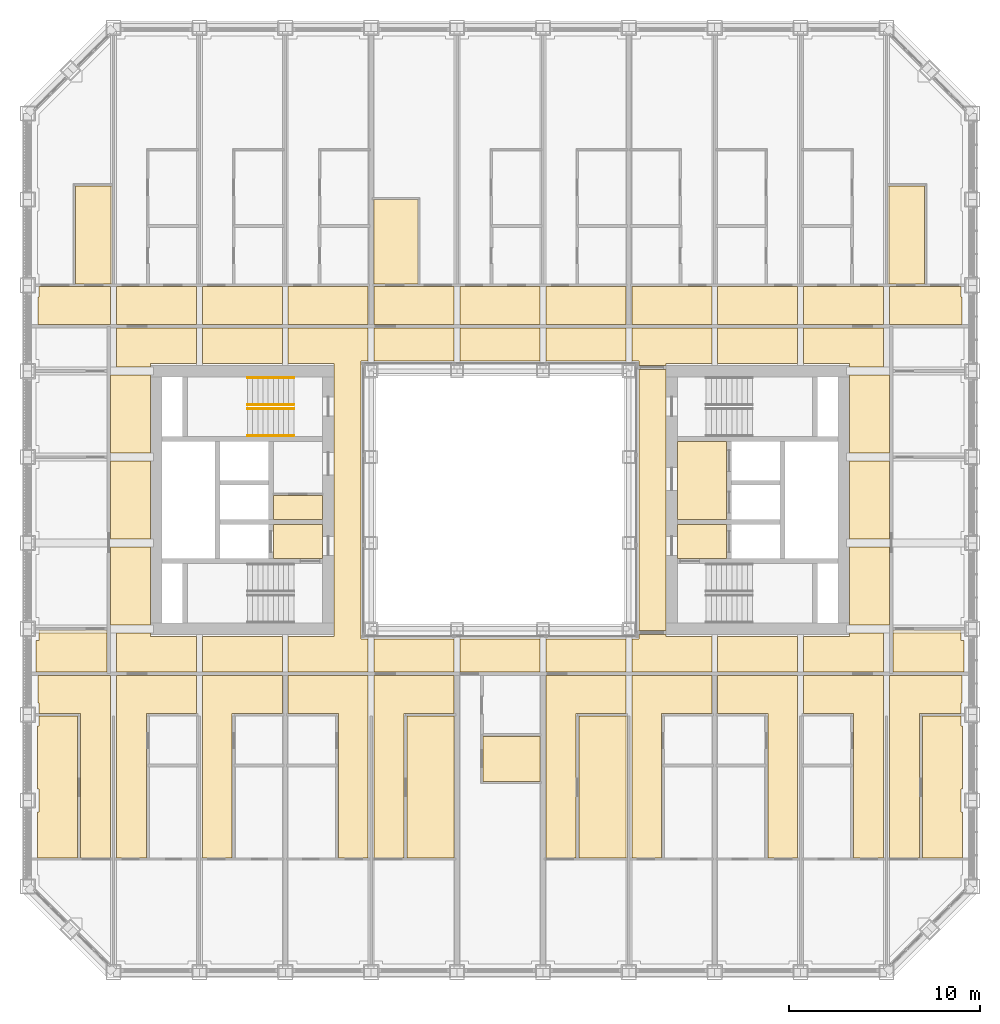
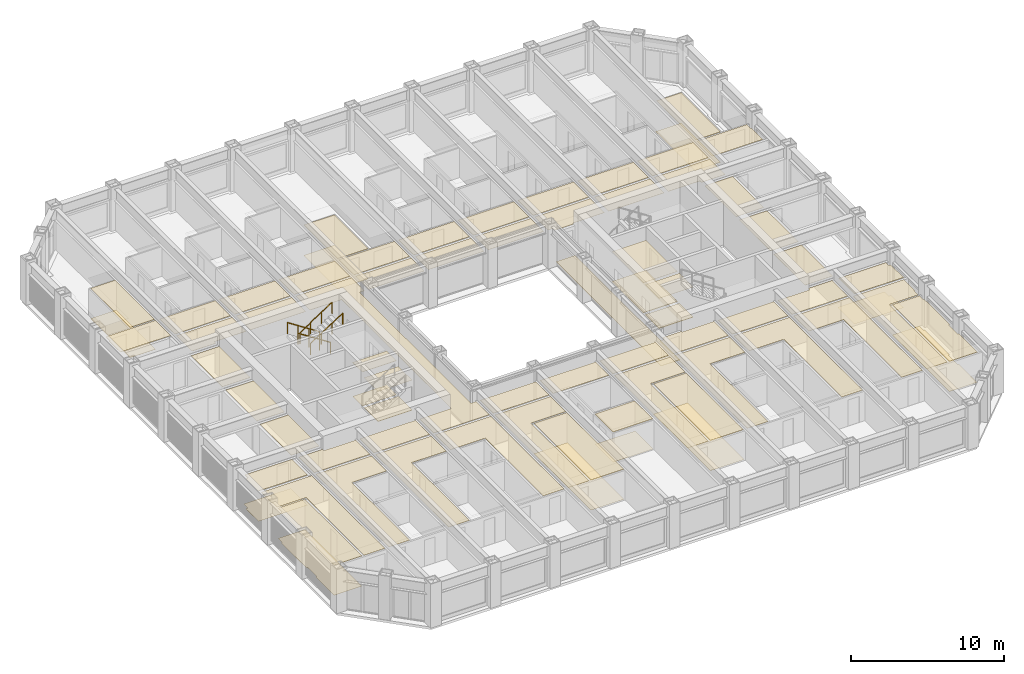
# One storey, part 18 of 21: 5 coverings, 4 railings.
"""IFC4 building model written with IfcOpenShell, lengths in metres."""

from ifc_helpers import new_model, si_unit, direction, frame, origin, origin_2d, place, context, subcontext, project, spatial, line, indexed_curve, circle, outline, extrude, material, layer, layer_set, type_object, element, save


model = new_model("IFC4")

# Units and contexts
model_context = context("Model", 3, precision=1e-05, world=origin(), true_north=direction((0.0, 1.0)))
body_context = subcontext(model_context, "Body", "Model", "MODEL_VIEW")
ifc_project = project(units=[si_unit("LENGTHUNIT", "METRE"), si_unit("AREAUNIT", "SQUARE_METRE"), si_unit("VOLUMEUNIT", "CUBIC_METRE"), si_unit("PLANEANGLEUNIT", "RADIAN"), si_unit("MASSUNIT", "GRAM", prefix="KILO")], contexts=[model_context])

# Site, building, storey
site_placement = place(None, origin())
site = spatial("IfcSite", under=ifc_project, at=site_placement, CompositionType="ELEMENT")
building_placement = place(site_placement, origin())
building = spatial("IfcBuilding", under=site, at=building_placement, Name="Msasa Ring Tower", CompositionType="ELEMENT")
storey_placement = place(building_placement, frame((0.0, 0.0, 68.5)))
storey = spatial("IfcBuildingStorey", under=building, at=storey_placement, Name="L17", CompositionType="ELEMENT", Elevation=68.5)

# Coverings
ifc_material_1 = material(Name="Gypsum plasterboard on a steel suspension grid", Category="steel")
ifc_layer_1 = layer(ifc_material_1, 0.014892578125)
ifc_layer_set_1 = layer_set([ifc_layer_1], Name="C1 SUSPENDED PLASTERBOARD CEILING 15")
covering_type_1 = type_object("IfcCoveringType", Name="C1 SUSPENDED PLASTERBOARD CEILING 15", PredefinedType="CEILING", material=ifc_layer_set_1)
covering_1_placement = place(storey_placement, frame((0.0, 0.0, 2.39990234375)))
element("IfcCovering", 1, at=covering_1_placement, inside=storey, type_object=covering_type_1, Name="Suspended Plasterboard Ceiling 15 circulation L17", PredefinedType="CEILING", context=body_context, shape_type="SweptSolid", body=[
    extrude(outline(indexed_curve([(-21.969482421875, -18.757080078125), (-21.969482421875, -11.18701171875), (-24.1494140625, -11.18701171875), (-24.1494140625, -10.6494140625), (-24.199462890625, -10.6494140625), (-24.199462890625, -9.200439453125), (-20.404296875, -9.200439453125), (-20.404296875, -18.757080078125)], segments=[line(1, 2, 3, 4, 5, 6, 7, 8, 1)], self_intersect=False)), origin(), (0.0, 0.0, 1.0), 0.01513671875),
    extrude(outline(indexed_curve([(-24.199462890625, 10.6494140625), (-24.1494140625, 10.6494140625), (-24.1494140625, 11.18701171875), (-20.404296875, 11.18701171875), (-20.404296875, 9.200439453125), (-24.199462890625, 9.200439453125)], segments=[line(1, 2, 3, 4, 5, 6, 1)], self_intersect=False)), origin(), (0.0, 0.0, 1.0), 0.01513671875),
    extrude(outline(indexed_curve([(-20.3994140625, -2.460693359375), (-18.300537109375, -2.460693359375), (-18.300537109375, -6.539306640625), (-20.3994140625, -6.539306640625)], segments=[line(1, 2, 3, 4, 1)], self_intersect=False)), origin(), (0.0, 0.0, 1.0), 0.01513671875),
    extrude(outline(indexed_curve([(-20.3994140625, 2.039306640625), (-18.300537109375, 2.039306640625), (-18.300537109375, -2.039306640625), (-20.3994140625, -2.039306640625)], segments=[line(1, 2, 3, 4, 1)], self_intersect=False)), origin(), (0.0, 0.0, 1.0), 0.01513671875),
    extrude(outline(indexed_curve([(-20.3994140625, 6.539306640625), (-18.300537109375, 6.539306640625), (-18.300537109375, 2.460693359375), (-20.3994140625, 2.460693359375)], segments=[line(1, 2, 3, 4, 1)], self_intersect=False)), origin(), (0.0, 0.0, 1.0), 0.01513671875),
    extrude(outline(indexed_curve([(-18.530517578125, -11.18701171875), (-18.530517578125, -18.757080078125), (-20.095703125, -18.757080078125), (-20.095703125, -9.200439453125), (-15.904296875, -9.200439453125), (-15.904296875, -11.18701171875)], segments=[line(1, 2, 3, 4, 5, 6, 1)], self_intersect=False)), origin(), (0.0, 0.0, 1.0), 0.01513671875),
    extrude(outline(indexed_curve([(-20.095703125, -8.99951171875), (-20.095703125, -6.960693359375), (-18.300537109375, -6.960693359375), (-18.300537109375, -7.150390625), (-15.904296875, -7.150390625), (-15.904296875, -8.99951171875)], segments=[line(1, 2, 3, 4, 5, 6, 1)], self_intersect=False)), origin(), (0.0, 0.0, 1.0), 0.01513671875),
    extrude(outline(indexed_curve([(-15.904296875, 8.99951171875), (-15.904296875, 7.150390625), (-18.300537109375, 7.150390625), (-18.300537109375, 6.960693359375), (-20.095703125, 6.960693359375), (-20.095703125, 8.99951171875)], segments=[line(1, 2, 3, 4, 5, 6, 1)], self_intersect=False)), origin(), (0.0, 0.0, 1.0), 0.01513671875),
    extrude(outline(indexed_curve([(-15.904296875, 11.18701171875), (-15.904296875, 9.200439453125), (-20.095703125, 9.200439453125), (-20.095703125, 11.18701171875)], segments=[line(1, 2, 3, 4, 1)], self_intersect=False)), origin(), (0.0, 0.0, 1.0), 0.01513671875),
    extrude(outline(indexed_curve([(-11.404296875, -9.200439453125), (-11.404296875, -11.18701171875), (-14.030517578125, -11.18701171875), (-14.030517578125, -18.757080078125), (-15.595703125, -18.757080078125), (-15.595703125, -9.200439453125)], segments=[line(1, 2, 3, 4, 5, 6, 1)], self_intersect=False)), origin(), (0.0, 0.0, 1.0), 0.01513671875),
    extrude(outline(indexed_curve([(-15.595703125, -8.99951171875), (-15.595703125, -7.150390625), (-11.404296875, -7.150390625), (-11.404296875, -8.99951171875)], segments=[line(1, 2, 3, 4, 1)], self_intersect=False)), origin(), (0.0, 0.0, 1.0), 0.01513671875),
    extrude(outline(indexed_curve([(-11.404296875, 8.99951171875), (-11.404296875, 7.150390625), (-15.595703125, 7.150390625), (-15.595703125, 8.99951171875)], segments=[line(1, 2, 3, 4, 1)], self_intersect=False)), origin(), (0.0, 0.0, 1.0), 0.01513671875),
    extrude(outline(indexed_curve([(-11.404296875, 11.18701171875), (-11.404296875, 9.200439453125), (-15.595703125, 9.200439453125), (-15.595703125, 11.18701171875)], segments=[line(1, 2, 3, 4, 1)], self_intersect=False)), origin(), (0.0, 0.0, 1.0), 0.01513671875),
    extrude(outline(indexed_curve([(-11.87451171875, -3.074462890625), (-11.87451171875, -1.275390625), (-9.300537109375, -1.275390625), (-9.300537109375, -3.074462890625)], segments=[line(1, 2, 3, 4, 1)], self_intersect=False)), origin(), (0.0, 0.0, 1.0), 0.01513671875),
    extrude(outline(indexed_curve([(-8.469482421875, -18.757080078125), (-8.469482421875, -11.18701171875), (-11.095703125, -11.18701171875), (-11.095703125, -9.200439453125), (-6.904296875, -9.200439453125), (-6.904296875, -18.757080078125)], segments=[line(1, 2, 3, 4, 5, 6, 1)], self_intersect=False)), origin(), (0.0, 0.0, 1.0), 0.01513671875),
    extrude(outline(indexed_curve([(-11.095703125, -8.99951171875), (-11.095703125, -7.150390625), (-8.699462890625, -7.150390625), (-8.699462890625, 7.150390625), (-11.095703125, 7.150390625), (-11.095703125, 8.99951171875), (-6.904296875, 8.99951171875), (-6.904296875, 7.280029296875), (-7.275390625, 7.275390625), (-7.280517578125, 7.23046875), (-7.280517578125, -7.23046875), (-7.275390625, -7.275390625), (-6.904296875, -7.280029296875), (-6.904296875, -8.99951171875)], segments=[line(1, 2, 3, 4, 5, 6, 7, 8, 9, 10, 11, 12, 13, 14, 1)], self_intersect=False)), origin(), (0.0, 0.0, 1.0), 0.01513671875),
    extrude(outline(indexed_curve([(-6.904296875, 11.18701171875), (-6.904296875, 9.200439453125), (-11.095703125, 9.200439453125), (-11.095703125, 11.18701171875)], segments=[line(1, 2, 3, 4, 1)], self_intersect=False)), origin(), (0.0, 0.0, 1.0), 0.01513671875),
    extrude(outline(indexed_curve([(-6.595703125, -18.757080078125), (-6.595703125, -9.200439453125), (-2.404296875, -9.200439453125), (-2.404296875, -11.18701171875), (-5.030517578125, -11.18701171875), (-5.030517578125, -18.757080078125)], segments=[line(1, 2, 3, 4, 5, 6, 1)], self_intersect=False)), origin(), (0.0, 0.0, 1.0), 0.01513671875),
    extrude(outline(indexed_curve([(-6.595703125, -8.99951171875), (-6.595703125, -7.280029296875), (-2.404296875, -7.280029296875), (-2.404296875, -8.99951171875)], segments=[line(1, 2, 3, 4, 1)], self_intersect=False)), origin(), (0.0, 0.0, 1.0), 0.01513671875),
    extrude(outline(indexed_curve([(-2.404296875, 8.99951171875), (-2.404296875, 7.280029296875), (-6.595703125, 7.280029296875), (-6.595703125, 8.99951171875)], segments=[line(1, 2, 3, 4, 1)], self_intersect=False)), origin(), (0.0, 0.0, 1.0), 0.01513671875),
    extrude(outline(indexed_curve([(-6.595703125, 9.200439453125), (-6.595703125, 11.18701171875), (-2.404296875, 11.18701171875), (-2.404296875, 9.200439453125)], segments=[line(1, 2, 3, 4, 1)], self_intersect=False)), origin(), (0.0, 0.0, 1.0), 0.01513671875),
    extrude(outline(indexed_curve([(-2.095703125, -8.99951171875), (-2.095703125, -7.280029296875), (2.095703125, -7.280029296875), (2.095703125, -8.99951171875)], segments=[line(1, 2, 3, 4, 1)], self_intersect=False)), origin(), (0.0, 0.0, 1.0), 0.01513671875),
    extrude(outline(indexed_curve([(2.095703125, 8.99951171875), (2.095703125, 7.280029296875), (-2.095703125, 7.280029296875), (-2.095703125, 8.99951171875)], segments=[line(1, 2, 3, 4, 1)], self_intersect=False)), origin(), (0.0, 0.0, 1.0), 0.01513671875),
    extrude(outline(indexed_curve([(-2.095703125, 9.200439453125), (-2.095703125, 11.18701171875), (2.095703125, 11.18701171875), (2.095703125, 9.200439453125)], segments=[line(1, 2, 3, 4, 1)], self_intersect=False)), origin(), (0.0, 0.0, 1.0), 0.01513671875),
    extrude(outline(indexed_curve([(3.969482421875, -11.18701171875), (3.969482421875, -18.757080078125), (2.404296875, -18.757080078125), (2.404296875, -9.200439453125), (6.595703125, -9.200439453125), (6.595703125, -11.18701171875)], segments=[line(1, 2, 3, 4, 5, 6, 1)], self_intersect=False)), origin(), (0.0, 0.0, 1.0), 0.01513671875),
    extrude(outline(indexed_curve([(2.404296875, -8.99951171875), (2.404296875, -7.280029296875), (6.595703125, -7.280029296875), (6.595703125, -8.99951171875)], segments=[line(1, 2, 3, 4, 1)], self_intersect=False)), origin(), (0.0, 0.0, 1.0), 0.01513671875),
    extrude(outline(indexed_curve([(6.595703125, 8.99951171875), (6.595703125, 7.280029296875), (2.404296875, 7.280029296875), (2.404296875, 8.99951171875)], segments=[line(1, 2, 3, 4, 1)], self_intersect=False)), origin(), (0.0, 0.0, 1.0), 0.01513671875),
    extrude(outline(indexed_curve([(2.404296875, 9.200439453125), (2.404296875, 11.18701171875), (6.595703125, 11.18701171875), (6.595703125, 9.200439453125)], segments=[line(1, 2, 3, 4, 1)], self_intersect=False)), origin(), (0.0, 0.0, 1.0), 0.01513671875),
    extrude(outline(indexed_curve([(11.095703125, -9.200439453125), (11.095703125, -11.18701171875), (8.469482421875, -11.18701171875), (8.469482421875, -18.757080078125), (6.904296875, -18.757080078125), (6.904296875, -9.200439453125)], segments=[line(1, 2, 3, 4, 5, 6, 1)], self_intersect=False)), origin(), (0.0, 0.0, 1.0), 0.01513671875),
    extrude(outline(indexed_curve([(6.904296875, -8.99951171875), (6.904296875, -7.280029296875), (7.275390625, -7.275390625), (7.280029296875, -7.050537109375), (8.699462890625, -7.050537109375), (8.699462890625, -7.150390625), (11.095703125, -7.150390625), (11.095703125, -8.99951171875)], segments=[line(1, 2, 3, 4, 5, 6, 7, 8, 1)], self_intersect=False)), origin(), (0.0, 0.0, 1.0), 0.01513671875),
    extrude(outline(indexed_curve([(11.095703125, 8.99951171875), (11.095703125, 7.150390625), (8.699462890625, 7.150390625), (8.699462890625, 7.050537109375), (7.280029296875, 7.050537109375), (7.275390625, 7.275390625), (6.904296875, 7.280029296875), (6.904296875, 8.99951171875)], segments=[line(1, 2, 3, 4, 5, 6, 7, 8, 1)], self_intersect=False)), origin(), (0.0, 0.0, 1.0), 0.01513671875),
    extrude(outline(indexed_curve([(11.095703125, 11.18701171875), (11.095703125, 9.200439453125), (6.904296875, 9.200439453125), (6.904296875, 11.18701171875)], segments=[line(1, 2, 3, 4, 1)], self_intersect=False)), origin(), (0.0, 0.0, 1.0), 0.01513671875),
    extrude(outline(indexed_curve([(9.300537109375, -3.074462890625), (9.300537109375, -1.275390625), (11.87451171875, -1.275390625), (11.87451171875, -3.074462890625)], segments=[line(1, 2, 3, 4, 1)], self_intersect=False)), origin(), (0.0, 0.0, 1.0), 0.01513671875),
    extrude(outline(indexed_curve([(9.300537109375, 3.074462890625), (11.87451171875, 3.074462890625), (11.87451171875, -1.0244140625), (9.300537109375, -1.0244140625)], segments=[line(1, 2, 3, 4, 1)], self_intersect=False)), origin(), (0.0, 0.0, 1.0), 0.01513671875),
    extrude(outline(indexed_curve([(14.030517578125, -18.757080078125), (14.030517578125, -11.18701171875), (11.404296875, -11.18701171875), (11.404296875, -9.200439453125), (15.595703125, -9.200439453125), (15.595703125, -18.757080078125)], segments=[line(1, 2, 3, 4, 5, 6, 1)], self_intersect=False)), origin(), (0.0, 0.0, 1.0), 0.01513671875),
    extrude(outline(indexed_curve([(11.404296875, -8.99951171875), (11.404296875, -7.150390625), (15.595703125, -7.150390625), (15.595703125, -8.99951171875)], segments=[line(1, 2, 3, 4, 1)], self_intersect=False)), origin(), (0.0, 0.0, 1.0), 0.01513671875),
    extrude(outline(indexed_curve([(15.595703125, 8.99951171875), (15.595703125, 7.150390625), (11.404296875, 7.150390625), (11.404296875, 8.99951171875)], segments=[line(1, 2, 3, 4, 1)], self_intersect=False)), origin(), (0.0, 0.0, 1.0), 0.01513671875),
    extrude(outline(indexed_curve([(15.595703125, 11.18701171875), (15.595703125, 9.200439453125), (11.404296875, 9.200439453125), (11.404296875, 11.18701171875)], segments=[line(1, 2, 3, 4, 1)], self_intersect=False)), origin(), (0.0, 0.0, 1.0), 0.01513671875),
    extrude(outline(indexed_curve([(18.530517578125, -18.757080078125), (18.530517578125, -11.18701171875), (15.904296875, -11.18701171875), (15.904296875, -9.200439453125), (20.095703125, -9.200439453125), (20.095703125, -18.757080078125)], segments=[line(1, 2, 3, 4, 5, 6, 1)], self_intersect=False)), origin(), (0.0, 0.0, 1.0), 0.01513671875),
    extrude(outline(indexed_curve([(15.904296875, -8.99951171875), (15.904296875, -7.150390625), (18.300537109375, -7.150390625), (18.300537109375, -6.960693359375), (20.095703125, -6.960693359375), (20.095703125, -8.99951171875)], segments=[line(1, 2, 3, 4, 5, 6, 1)], self_intersect=False)), origin(), (0.0, 0.0, 1.0), 0.01513671875),
    extrude(outline(indexed_curve([(20.095703125, 8.99951171875), (20.095703125, 6.960693359375), (18.300537109375, 6.960693359375), (18.300537109375, 7.150390625), (15.904296875, 7.150390625), (15.904296875, 8.99951171875)], segments=[line(1, 2, 3, 4, 5, 6, 1)], self_intersect=False)), origin(), (0.0, 0.0, 1.0), 0.01513671875),
    extrude(outline(indexed_curve([(20.095703125, 11.18701171875), (20.095703125, 9.200439453125), (15.904296875, 9.200439453125), (15.904296875, 11.18701171875)], segments=[line(1, 2, 3, 4, 1)], self_intersect=False)), origin(), (0.0, 0.0, 1.0), 0.01513671875),
    extrude(outline(indexed_curve([(20.3994140625, -6.539306640625), (18.300537109375, -6.539306640625), (18.300537109375, -2.460693359375), (20.3994140625, -2.460693359375)], segments=[line(1, 2, 3, 4, 1)], self_intersect=False)), origin(), (0.0, 0.0, 1.0), 0.01513671875),
    extrude(outline(indexed_curve([(20.3994140625, -2.039306640625), (18.300537109375, -2.039306640625), (18.300537109375, 2.039306640625), (20.3994140625, 2.039306640625)], segments=[line(1, 2, 3, 4, 1)], self_intersect=False)), origin(), (0.0, 0.0, 1.0), 0.01513671875),
    extrude(outline(indexed_curve([(20.3994140625, 2.460693359375), (18.300537109375, 2.460693359375), (18.300537109375, 6.539306640625), (20.3994140625, 6.539306640625)], segments=[line(1, 2, 3, 4, 1)], self_intersect=False)), origin(), (0.0, 0.0, 1.0), 0.01513671875),
    extrude(outline(indexed_curve([(24.199462890625, -9.200439453125), (24.199462890625, -10.6494140625), (24.1494140625, -10.6494140625), (24.1494140625, -11.18701171875), (21.969482421875, -11.18701171875), (21.969482421875, -18.757080078125), (20.404296875, -18.757080078125), (20.404296875, -9.200439453125)], segments=[line(1, 2, 3, 4, 5, 6, 7, 8, 1)], self_intersect=False)), origin(), (0.0, 0.0, 1.0), 0.01513671875),
    extrude(outline(indexed_curve([(24.1494140625, 11.18701171875), (24.1494140625, 10.6494140625), (24.199462890625, 10.6494140625), (24.199462890625, 9.200439453125), (20.404296875, 9.200439453125), (20.404296875, 11.18701171875)], segments=[line(1, 2, 3, 4, 5, 6, 1)], self_intersect=False)), origin(), (0.0, 0.0, 1.0), 0.01513671875),
])
ifc_material_2 = material(Name="Mineral fibre ceiling tiles on an exposed steel grid", Category="steel")
ifc_layer_2 = layer(ifc_material_2, 0.02001953125)
ifc_layer_set_2 = layer_set([ifc_layer_2], Name="C3 ACOUSTIC MINERAL FIBRE TILE CEILING 20")
covering_type_2 = type_object("IfcCoveringType", Name="C3 ACOUSTIC MINERAL FIBRE TILE CEILING 20", PredefinedType="CEILING", material=ifc_layer_set_2)
covering_2_placement = place(storey_placement, frame((0.0, 0.0, 2.699951171875)))
element("IfcCovering", 2, at=covering_2_placement, inside=storey, type_object=covering_type_2, Name="Acoustic Mineral Fibre Tile Ceiling 20 L17", PredefinedType="CEILING", context=body_context, shape_type="SweptSolid", body=[
    extrude(outline(indexed_curve([(-11.87451171875, 0.244384765625), (-9.300537109375, 0.244384765625), (-9.300537109375, -1.0244140625), (-11.87451171875, -1.0244140625)], segments=[line(1, 2, 3, 4, 1)], self_intersect=False)), origin(), (0.0, 0.0, 1.0), 0.02001953125),
])
ifc_material_3 = material(Name="Perforated aluminium ceiling pans on a steel grid", Category="steel")
ifc_layer_3 = layer(ifc_material_3, 0.02490234375)
ifc_layer_set_3 = layer_set([ifc_layer_3], Name="C4 PERFORATED METAL PAN CEILING 25")
covering_type_3 = type_object("IfcCoveringType", Name="C4 PERFORATED METAL PAN CEILING 25", PredefinedType="CEILING", material=ifc_layer_set_3)
covering_3_placement = place(storey_placement, frame((0.0, 0.0, 2.39990234375)))
element("IfcCovering", 3, at=covering_3_placement, inside=storey, type_object=covering_type_3, Name="Perforated Metal Pan Ceiling 25 L17", PredefinedType="CEILING", context=body_context, shape_type="SweptSolid", body=[
    extrude(outline(indexed_curve([(-20.6005859375, -8.99951171875), (-24.299560546875, -8.99951171875), (-24.299560546875, -7.3505859375), (-24.1494140625, -7.3505859375), (-24.1494140625, -6.960693359375), (-20.6005859375, -6.960693359375)], segments=[line(1, 2, 3, 4, 5, 6, 1)], self_intersect=False)), origin(), (0.0, 0.0, 1.0), 0.025146484375),
    extrude(outline(indexed_curve([(-24.23193359375, -18.757080078125), (-24.23193359375, -16.3505859375), (-24.1494140625, -16.3505859375), (-24.1494140625, -15.1494140625), (-24.23193359375, -15.1494140625), (-24.23193359375, -11.8505859375), (-24.1494140625, -11.8505859375), (-24.1494140625, -11.318115234375), (-22.130615234375, -11.318115234375), (-22.130615234375, -18.757080078125)], segments=[line(1, 2, 3, 4, 5, 6, 7, 8, 9, 10, 1)], self_intersect=False)), origin(), (0.0, 0.0, 1.0), 0.025146484375),
    extrude(outline(indexed_curve([(-22.24951171875, 16.4619140625), (-20.404296875, 16.4619140625), (-20.404296875, 11.31298828125), (-22.24951171875, 11.31298828125)], segments=[line(1, 2, 3, 4, 1)], self_intersect=False)), origin(), (0.0, 0.0, 1.0), 0.025146484375),
    extrude(outline(indexed_curve([(-6.595703125, 11.31298828125), (-6.595703125, 15.741943359375), (-4.300537109375, 15.741943359375), (-4.300537109375, 11.31298828125)], segments=[line(1, 2, 3, 4, 1)], self_intersect=False)), origin(), (0.0, 0.0, 1.0), 0.025146484375),
    extrude(outline(indexed_curve([(-4.869384765625, -18.757080078125), (-4.869384765625, -11.318115234375), (-2.404296875, -11.318115234375), (-2.404296875, -18.757080078125)], segments=[line(1, 2, 3, 4, 1)], self_intersect=False)), origin(), (0.0, 0.0, 1.0), 0.025146484375),
    extrude(outline(indexed_curve([(-0.8994140625, -12.380615234375), (2.095703125, -12.380615234375), (2.095703125, -14.744384765625), (-0.8994140625, -14.744384765625)], segments=[line(1, 2, 3, 4, 1)], self_intersect=False)), origin(), (0.0, 0.0, 1.0), 0.025146484375),
    extrude(outline(indexed_curve([(4.130615234375, -18.757080078125), (4.130615234375, -11.318115234375), (6.595703125, -11.318115234375), (6.595703125, -18.757080078125)], segments=[line(1, 2, 3, 4, 1)], self_intersect=False)), origin(), (0.0, 0.0, 1.0), 0.025146484375),
    extrude(outline(indexed_curve([(22.24951171875, 16.4619140625), (22.24951171875, 11.31298828125), (20.404296875, 11.31298828125), (20.404296875, 16.4619140625)], segments=[line(1, 2, 3, 4, 1)], self_intersect=False)), origin(), (0.0, 0.0, 1.0), 0.025146484375),
    extrude(outline(indexed_curve([(24.299560546875, -8.99951171875), (20.6005859375, -8.99951171875), (20.6005859375, -6.960693359375), (24.1494140625, -6.960693359375), (24.1494140625, -7.3505859375), (24.299560546875, -7.3505859375)], segments=[line(1, 2, 3, 4, 5, 6, 1)], self_intersect=False)), origin(), (0.0, 0.0, 1.0), 0.025146484375),
    extrude(outline(indexed_curve([(22.130615234375, -11.318115234375), (24.1494140625, -11.318115234375), (24.1494140625, -11.8505859375), (24.23193359375, -11.8505859375), (24.23193359375, -15.1494140625), (24.1494140625, -15.1494140625), (24.1494140625, -16.3505859375), (24.23193359375, -16.3505859375), (24.23193359375, -18.757080078125), (22.130615234375, -18.757080078125)], segments=[line(1, 2, 3, 4, 5, 6, 7, 8, 9, 10, 1)], self_intersect=False)), origin(), (0.0, 0.0, 1.0), 0.025146484375),
])
ifc_material_4 = material(Name="Honed granite tiles on a mortar bed", Category="masonry")
ifc_layer_4 = layer(ifc_material_4, 0.030029296875)
ifc_layer_set_4 = layer_set([ifc_layer_4], Name="F1 HONED GRANITE ON BEDDING 30")
covering_type_4 = type_object("IfcCoveringType", Name="F1 HONED GRANITE ON BEDDING 30", PredefinedType="FLOORING", material=ifc_layer_set_4)
covering_4_placement = place(storey_placement, origin())
element("IfcCovering", 4, at=covering_4_placement, inside=storey, type_object=covering_type_4, Name="Honed Granite On Bedding 30 L17", PredefinedType="FLOORING", context=body_context, shape_type="SweptSolid", body=[
    extrude(outline(indexed_curve([(-11.87451171875, -3.074462890625), (-11.87451171875, -1.275390625), (-9.300537109375, -1.275390625), (-9.300537109375, -3.074462890625)], segments=[line(1, 2, 3, 4, 1)], self_intersect=False)), origin(), (0.0, 0.0, 1.0), 0.030029296875),
    extrude(outline(indexed_curve([(7.280029296875, -6.849609375), (7.280029296875, 6.849609375), (8.699462890625, 6.849609375), (8.699462890625, -6.849609375)], segments=[line(1, 2, 3, 4, 1)], self_intersect=False)), origin(), (0.0, 0.0, 1.0), 0.030029296875),
    extrude(outline(indexed_curve([(9.300537109375, -3.074462890625), (9.300537109375, -1.275390625), (11.87451171875, -1.275390625), (11.87451171875, -3.074462890625)], segments=[line(1, 2, 3, 4, 1)], self_intersect=False)), origin(), (0.0, 0.0, 1.0), 0.030029296875),
    extrude(outline(indexed_curve([(9.300537109375, -1.0244140625), (9.300537109375, 3.074462890625), (11.87451171875, 3.074462890625), (11.87451171875, -1.0244140625)], segments=[line(1, 2, 3, 4, 1)], self_intersect=False)), origin(), (0.0, 0.0, 1.0), 0.030029296875),
])
ifc_material_5 = material(Name="Welded vinyl safety sheet flooring", Category="vinyl")
ifc_layer_5 = layer(ifc_material_5, 0.0029296875)
ifc_layer_set_5 = layer_set([ifc_layer_5], Name="F5 RESILIENT SHEET FLOORING 3")
covering_type_5 = type_object("IfcCoveringType", Name="F5 RESILIENT SHEET FLOORING 3", PredefinedType="FLOORING", material=ifc_layer_set_5)
covering_5_placement = place(storey_placement, origin())
element("IfcCovering", 5, at=covering_5_placement, inside=storey, type_object=covering_type_5, Name="Resilient Sheet Flooring 3 L17", PredefinedType="FLOORING", context=body_context, shape_type="SweptSolid", body=[
    extrude(outline(indexed_curve([(-20.6005859375, -8.99951171875), (-24.299560546875, -8.99951171875), (-24.299560546875, -7.3505859375), (-24.1494140625, -7.3505859375), (-24.1494140625, -6.805419921875), (-20.6005859375, -6.805419921875)], segments=[line(1, 2, 3, 4, 5, 6, 1)], self_intersect=False)), origin(), (0.0, 0.0, 1.0), 0.0029296875),
    extrude(outline(indexed_curve([(-24.23193359375, -16.3505859375), (-24.1494140625, -16.3505859375), (-24.1494140625, -15.1494140625), (-24.23193359375, -15.1494140625), (-24.23193359375, -11.8505859375), (-24.1494140625, -11.8505859375), (-24.1494140625, -11.318115234375), (-22.130615234375, -11.318115234375), (-22.130615234375, -18.74951171875), (-24.23193359375, -18.74951171875)], segments=[line(1, 2, 3, 4, 5, 6, 7, 8, 9, 10, 1)], self_intersect=False)), origin(), (0.0, 0.0, 1.0), 0.0029296875),
    extrude(outline(indexed_curve([(-22.24951171875, 16.4619140625), (-20.318115234375, 16.4619140625), (-20.318115234375, 11.31298828125), (-22.24951171875, 11.31298828125)], segments=[line(1, 2, 3, 4, 1)], self_intersect=False)), origin(), (0.0, 0.0, 1.0), 0.0029296875),
    extrude(outline(indexed_curve([(-9.300537109375, 0.244384765625), (-9.300537109375, -1.0244140625), (-11.87451171875, -1.0244140625), (-11.87451171875, 0.244384765625)], segments=[line(1, 2, 3, 4, 1)], self_intersect=False)), origin(), (0.0, 0.0, 1.0), 0.0029296875),
    extrude(outline(indexed_curve([(-4.300537109375, 15.741943359375), (-4.300537109375, 11.31298828125), (-6.62451171875, 11.31298828125), (-6.62451171875, 15.741943359375)], segments=[line(1, 2, 3, 4, 1)], self_intersect=False)), origin(), (0.0, 0.0, 1.0), 0.0029296875),
    extrude(outline(indexed_curve([(-4.869384765625, -11.318115234375), (-2.37548828125, -11.318115234375), (-2.37548828125, -18.74951171875), (-4.869384765625, -18.74951171875)], segments=[line(1, 2, 3, 4, 1)], self_intersect=False)), origin(), (0.0, 0.0, 1.0), 0.0029296875),
    extrude(outline(indexed_curve([(2.12451171875, -12.380615234375), (2.12451171875, -14.744384765625), (-0.8994140625, -14.744384765625), (-0.8994140625, -12.380615234375)], segments=[line(1, 2, 3, 4, 1)], self_intersect=False)), origin(), (0.0, 0.0, 1.0), 0.0029296875),
    extrude(outline(indexed_curve([(6.681884765625, -11.318115234375), (6.681884765625, -18.74951171875), (4.130615234375, -18.74951171875), (4.130615234375, -11.318115234375)], segments=[line(1, 2, 3, 4, 1)], self_intersect=False)), origin(), (0.0, 0.0, 1.0), 0.0029296875),
    extrude(outline(indexed_curve([(22.24951171875, 16.4619140625), (22.24951171875, 11.31298828125), (20.318115234375, 11.31298828125), (20.318115234375, 16.4619140625)], segments=[line(1, 2, 3, 4, 1)], self_intersect=False)), origin(), (0.0, 0.0, 1.0), 0.0029296875),
    extrude(outline(indexed_curve([(20.6005859375, -6.805419921875), (24.1494140625, -6.805419921875), (24.1494140625, -7.3505859375), (24.299560546875, -7.3505859375), (24.299560546875, -8.99951171875), (20.6005859375, -8.99951171875)], segments=[line(1, 2, 3, 4, 5, 6, 1)], self_intersect=False)), origin(), (0.0, 0.0, 1.0), 0.0029296875),
    extrude(outline(indexed_curve([(24.1494140625, -11.318115234375), (24.1494140625, -11.8505859375), (24.23193359375, -11.8505859375), (24.23193359375, -15.1494140625), (24.1494140625, -15.1494140625), (24.1494140625, -16.3505859375), (24.23193359375, -16.3505859375), (24.23193359375, -18.74951171875), (22.130615234375, -18.74951171875), (22.130615234375, -11.318115234375)], segments=[line(1, 2, 3, 4, 5, 6, 7, 8, 9, 10, 1)], self_intersect=False)), origin(), (0.0, 0.0, 1.0), 0.0029296875),
])

# Railings
ifc_material_6 = material(Name="Stainless steel", Category="steel")
railing_type = type_object("IfcRailingType", Name="HR1 HANDRAIL 900", PredefinedType="HANDRAIL", material=ifc_material_6)
for number, where, name in (
    (6, (-10.800048828125, 5.0, 0.175048828125), "Handrail stair SWB L17 1"),
    (7, (-10.800048828125, 6.39990234375, 0.175048828125), "Handrail stair SWB L17 2"),
):
    element("IfcRailing", number, at=place(storey_placement, frame(where)), inside=storey, type_object=railing_type, Name=name, PredefinedType="HANDRAIL", context=body_context, shape_type="SweptSolid", body=[
        extrude(circle(Radius=0.02392578125, at=origin_2d()), frame((0.0, 0.0, 0.8759765625), z_axis=(-0.839153699163, 0.0, 0.543894354798), x_axis=(0.0, -1.0, 0.0)), (0.0, 0.0, 1.0), 2.895751953125),
        extrude(circle(Radius=0.02099609375, at=origin_2d()), origin(), (0.0, 0.0, 1.0), 0.851806640625),
        extrude(circle(Radius=0.02099609375, at=origin_2d()), frame((-0.81005859375, 0.0, 0.52490234375)), (0.0, 0.0, 1.0), 0.851806640625),
        extrude(circle(Radius=0.02099609375, at=origin_2d()), frame((-1.619873046875, 0.0, 1.050048828125)), (0.0, 0.0, 1.0), 0.851806640625),
        extrude(circle(Radius=0.02099609375, at=origin_2d()), frame((-2.429931640625, 0.0, 1.574951171875)), (0.0, 0.0, 1.0), 0.851806640625),
    ])
for number, where, name in (
    (8, (-13.22998046875, 3.375, 1.925048828125), "Handrail stair SWB L17 3"),
    (9, (-13.22998046875, 4.77490234375, 1.925048828125), "Handrail stair SWB L17 4"),
):
    element("IfcRailing", number, at=place(storey_placement, frame(where)), inside=storey, type_object=railing_type, Name=name, PredefinedType="HANDRAIL", context=body_context, shape_type="SweptSolid", body=[
        extrude(circle(Radius=0.02392578125, at=origin_2d()), frame((0.0, 0.0, 0.8759765625), z_axis=(0.839153699163, 0.0, 0.543894354798), x_axis=(0.0, 1.0, 0.0)), (0.0, 0.0, 1.0), 2.895751953125),
        extrude(circle(Radius=0.02099609375, at=origin_2d()), origin(), (0.0, 0.0, 1.0), 0.851806640625),
        extrude(circle(Radius=0.02099609375, at=origin_2d()), frame((0.81005859375, 0.0, 0.52490234375)), (0.0, 0.0, 1.0), 0.851806640625),
        extrude(circle(Radius=0.02099609375, at=origin_2d()), frame((1.619873046875, 0.0, 1.050048828125)), (0.0, 0.0, 1.0), 0.851806640625),
        extrude(circle(Radius=0.02099609375, at=origin_2d()), frame((2.429931640625, 0.0, 1.574951171875)), (0.0, 0.0, 1.0), 0.851806640625),
    ])

save(model, "model.ifc")
